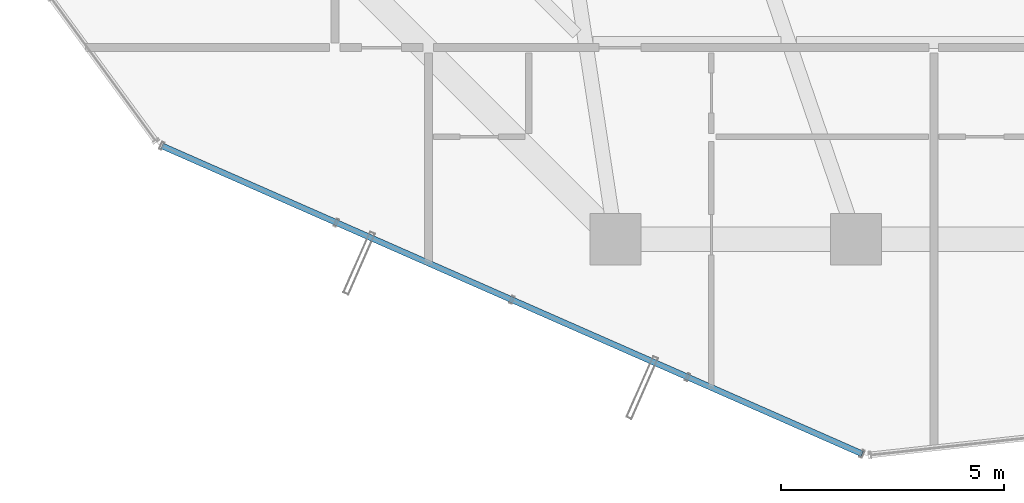
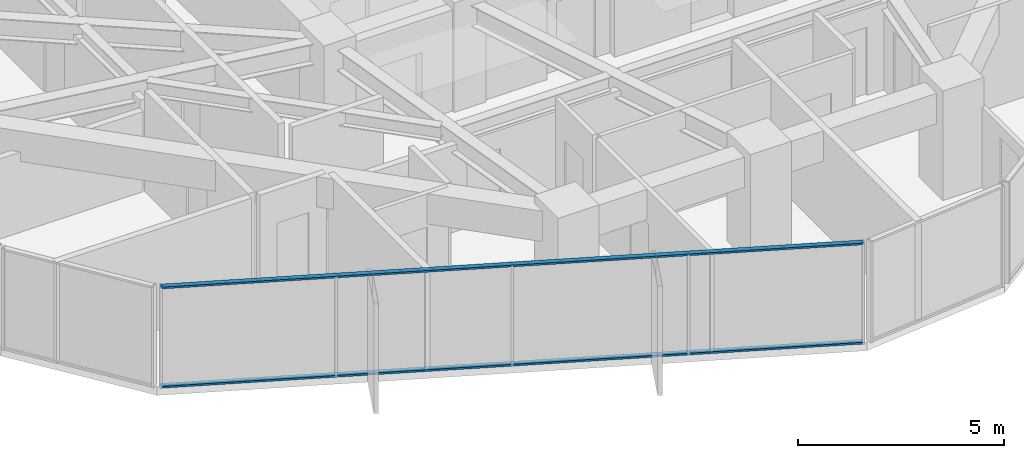
# One storey, part 3 of 34: 2 members, 1 element without a shape of its own.
"""IFC4 building model written with IfcOpenShell, lengths in metres."""

from ifc_helpers import new_model, si_unit, direction, frame, origin, origin_2d, place, context, subcontext, project, spatial, hollow_rectangle, extrude, source, transform, mapped, material, layer, layer_set, material_profile, profile_set, type_object, element, aggregate, save


model = new_model("IFC4")

# Units and contexts
model_context = context("Model", 3, precision=1e-05, world=origin(), true_north=direction((0.0, 1.0)))
body_context = subcontext(model_context, "Body", "Model", "MODEL_VIEW")
ifc_project = project(units=[si_unit("LENGTHUNIT", "METRE"), si_unit("AREAUNIT", "SQUARE_METRE"), si_unit("VOLUMEUNIT", "CUBIC_METRE"), si_unit("PLANEANGLEUNIT", "RADIAN"), si_unit("MASSUNIT", "GRAM", prefix="KILO")], contexts=[model_context])

# Site, building, storey
site_placement = place(None, origin())
site = spatial("IfcSite", under=ifc_project, at=site_placement, CompositionType="ELEMENT")
building_placement = place(site_placement, origin())
building = spatial("IfcBuilding", under=site, at=building_placement, Name="Veraguas Prism Commons", CompositionType="ELEMENT")
storey_placement = place(building_placement, frame((0.0, 0.0, 149.0)))
storey = spatial("IfcBuildingStorey", under=building, at=storey_placement, Name="L42", CompositionType="ELEMENT", Elevation=149.0)

# Curtain wall, members
ifc_material = material(Name="Anodised aluminium EN AW-6063 T6", Category="aluminium")
ifc_layer = layer(ifc_material, 0.169921875, Name="Unitised Flush Curtain Wall Zone 2", Category="aluminium")
ifc_layer_set = layer_set([ifc_layer], Name="Anodised aluminium EN AW-6063 T6")
curtain_wall_type = type_object("IfcCurtainWallType", Name="Unitised Flush Curtain Wall Zone 2", PredefinedType="NOTDEFINED", material=ifc_layer_set)
curtain_wall_placement = place(storey_placement, origin())
curtain_wall = element("IfcCurtainWall", 1, at=curtain_wall_placement, inside=storey, type_object=curtain_wall_type, Name="Tower Facade Curtain Wall L42-F4", PredefinedType="NOTDEFINED")
ifc_material_profile = material_profile(ifc_material, hollow_rectangle(XDim=0.054931640625, YDim=0.135009765625, WallThickness=0.0029296875, at=origin_2d()), Name="AL55X135X3")
ifc_profile_set = profile_set([ifc_material_profile], Name="Anodised aluminium EN AW-6063 T6")
member_type = type_object("IfcMemberType", Name="Curtain Wall Transom Standard AL 55x135x3", PredefinedType="USERDEFINED", material=ifc_profile_set)
shared_shape = source(origin(), body_context, "Body", "SweptSolid", [
    extrude(hollow_rectangle(XDim=0.054931640625, YDim=0.135009765625, WallThickness=0.0029296875, at=origin_2d()), origin(), (0.0, 0.0, 1.0), 17.17431640625),
])
member_1_placement = place(storey_placement, frame((8.416748046875, 9.897705078125, 0.027587890625), z_axis=(0.915385028375, -0.40257949504, 0.0), x_axis=(0.0, 0.0, 1.0)))
member_1 = element("IfcMember", 2, at=member_1_placement, type_object=member_type, Name="CW-Z2 Transom 1", ObjectType="TRANSOM", PredefinedType="USERDEFINED", context=body_context, shape_type="MappedRepresentation", body=[
    mapped(shared_shape, transform((0.0, 0.0, 0.0), scale=1.0)),
])
member_2_placement = place(storey_placement, frame((8.416748046875, 9.897705078125, 2.972412109375), z_axis=(0.915385028375, -0.40257949504, 0.0), x_axis=(0.0, 0.0, 1.0)))
member_2 = element("IfcMember", 3, at=member_2_placement, type_object=member_type, Name="CW-Z2 Transom 2", ObjectType="TRANSOM", PredefinedType="USERDEFINED", context=body_context, shape_type="MappedRepresentation", body=[
    mapped(shared_shape, transform((0.0, 0.0, 0.0), scale=1.0)),
])
aggregate(curtain_wall, [member_1, member_2])

save(model, "model.ifc")
